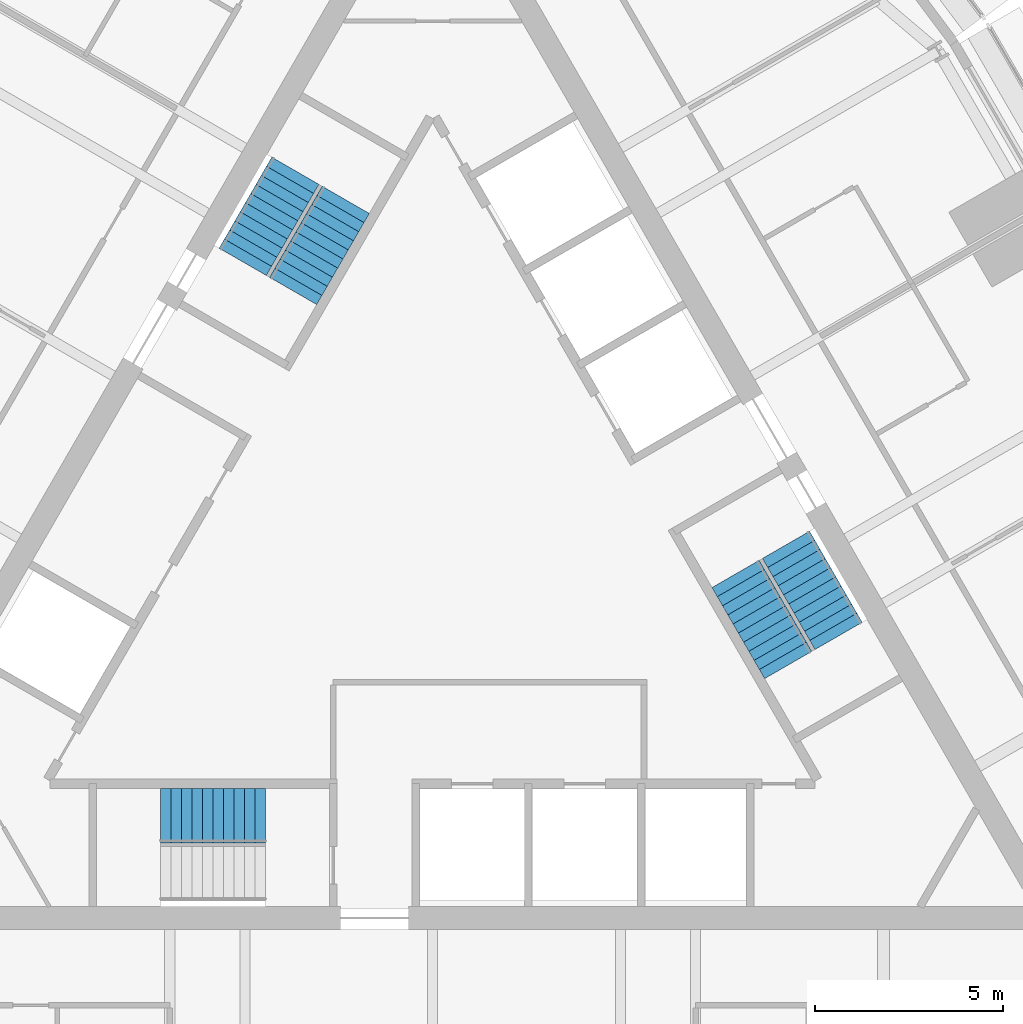
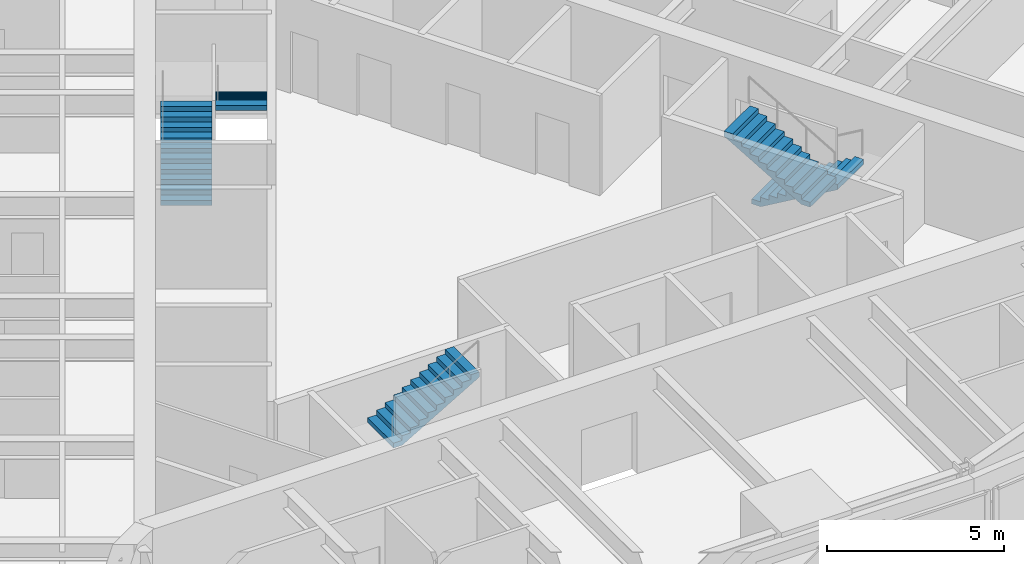
# One storey, part 11 of 12: 5 stair flights, 3 elements without a shape of their own.
"""IFC4 building model written with IfcOpenShell, lengths in metres."""

from ifc_helpers import new_model, si_unit, direction, frame, origin, place, context, subcontext, project, spatial, polyline, outline, extrude, material, type_object, element, aggregate, save


model = new_model("IFC4")

# Units and contexts
model_context = context("Model", 3, precision=1e-05, world=origin(), true_north=direction((0.0, 1.0)))
body_context = subcontext(model_context, "Body", "Model", "MODEL_VIEW")
ifc_project = project(units=[si_unit("LENGTHUNIT", "METRE"), si_unit("AREAUNIT", "SQUARE_METRE"), si_unit("VOLUMEUNIT", "CUBIC_METRE"), si_unit("PLANEANGLEUNIT", "RADIAN"), si_unit("MASSUNIT", "GRAM", prefix="KILO")], contexts=[model_context])

# Site, building, storey
site_placement = place(None, origin())
site = spatial("IfcSite", under=ifc_project, at=site_placement, CompositionType="ELEMENT")
building_placement = place(site_placement, origin())
building = spatial("IfcBuilding", under=site, at=building_placement, Name="Trikona Tower", CompositionType="ELEMENT")
storey_placement = place(building_placement, frame((0.0, 0.0, 250.10009765625)))
storey = spatial("IfcBuildingStorey", under=building, at=storey_placement, Name="L66", CompositionType="ELEMENT", Elevation=250.10009765625)

# Stair, stair flight
ifc_material_1 = material(Name="Concrete f'c 5000 psi", Category="concrete")
stair_type = type_object("IfcStairType", Name="Core stair", PredefinedType="HALF_TURN_STAIR", material=ifc_material_1)
stair_1_placement = place(storey_placement, origin())
stair_1 = element("IfcStair", 1, at=stair_1_placement, inside=storey, type_object=stair_type, Name="Stair A L66", PredefinedType="HALF_TURN_STAIR")
ifc_material_2 = material(Name="Concrete f'c 5000 psi", Category="concrete")
stair_flight_type = type_object("IfcStairFlightType", Name="Core stair flight 1450", PredefinedType="STRAIGHT", material=ifc_material_2)
stair_flight_1_placement = place(storey_placement, frame((-7.25, -6.80126953125, 1.7998046875), z_axis=(0.0, 0.0, 1.0), x_axis=(1.0, 0.0, 0.0)))
stair_flight_1 = element("IfcStairFlight", 2, at=stair_flight_1_placement, type_object=stair_flight_type, Name="ST-A flight 2", NumberOfRisers=11, NumberOfTreads=10, PredefinedType="STRAIGHT", RiserHeight=0.163636, TreadLength=0.28, context=body_context, shape_type="SweptSolid", body=[
    extrude(outline(polyline([(0.0, 0.0), (0.0, 0.16357421875), (0.280029296875, 0.16357421875), (0.280029296875, 0.327392578125), (0.56005859375, 0.327392578125), (0.56005859375, 0.490966796875), (0.840087890625, 0.490966796875), (0.840087890625, 0.654541015625), (1.1201171875, 0.654541015625), (1.1201171875, 0.818115234375), (1.39990234375, 0.818115234375), (1.39990234375, 0.98193359375), (1.679931640625, 0.98193359375), (1.679931640625, 1.1455078125), (1.9599609375, 1.1455078125), (1.9599609375, 1.30908203125), (2.239990234375, 1.30908203125), (2.239990234375, 1.47265625), (2.52001953125, 1.47265625), (2.52001953125, 1.636474609375), (2.800048828125, 1.636474609375), (2.800048828125, 1.800048828125), (2.800048828125, 1.462646484375), (0.297119140625, 0.0), (0.0, 0.0)])), frame((0.0, 0.72509765625, 0.0), z_axis=(0.0, -1.0, 0.0), x_axis=(1.0, 0.0, 0.0)), (0.0, 0.0, 1.0), 1.449951171875),
])
aggregate(stair_1, [stair_flight_1])

# Stair, stair flights
stair_2_placement = place(storey_placement, origin())
stair_2 = element("IfcStair", 3, at=stair_2_placement, inside=storey, type_object=stair_type, Name="Stair B L66", PredefinedType="HALF_TURN_STAIR")
stair_flight_2_placement = place(storey_placement, frame((9.407470703125, 0.408447265625, 0.0), z_axis=(0.0, 0.0, 1.0), x_axis=(0.5, -0.866025403784, 0.0)))
stair_flight_2 = element("IfcStairFlight", 4, at=stair_flight_2_placement, type_object=stair_flight_type, Name="ST-B flight 1", NumberOfRisers=11, NumberOfTreads=10, PredefinedType="STRAIGHT", RiserHeight=0.163636, TreadLength=0.28, context=body_context, shape_type="SweptSolid", body=[
    extrude(outline(polyline([(0.0, 0.0), (0.0, 0.16357421875), (0.280029296875, 0.16357421875), (0.280029296875, 0.327392578125), (0.56005859375, 0.327392578125), (0.56005859375, 0.490966796875), (0.840087890625, 0.490966796875), (0.840087890625, 0.654541015625), (1.1201171875, 0.654541015625), (1.1201171875, 0.818115234375), (1.39990234375, 0.818115234375), (1.39990234375, 0.98193359375), (1.679931640625, 0.98193359375), (1.679931640625, 1.1455078125), (1.9599609375, 1.1455078125), (1.9599609375, 1.30908203125), (2.239990234375, 1.30908203125), (2.239990234375, 1.47265625), (2.52001953125, 1.47265625), (2.52001953125, 1.636474609375), (2.800048828125, 1.636474609375), (2.800048828125, 1.800048828125), (2.800048828125, 1.462646484375), (0.297119140625, 0.0), (0.0, 0.0)])), frame((0.0, 0.72509765625, 0.0), z_axis=(0.0, -1.0, 0.0), x_axis=(1.0, 0.0, 0.0)), (0.0, 0.0, 1.0), 1.449951171875),
])
stair_flight_3_placement = place(storey_placement, frame((9.465087890625, -2.79150390625, 1.7998046875), z_axis=(0.0, 0.0, 1.0), x_axis=(-0.5, 0.866025403784, 0.0)))
stair_flight_3 = element("IfcStairFlight", 5, at=stair_flight_3_placement, type_object=stair_flight_type, Name="ST-B flight 2", NumberOfRisers=11, NumberOfTreads=10, PredefinedType="STRAIGHT", RiserHeight=0.163636, TreadLength=0.28, context=body_context, shape_type="SweptSolid", body=[
    extrude(outline(polyline([(0.0, 0.0), (0.0, 0.16357421875), (0.280029296875, 0.16357421875), (0.280029296875, 0.327392578125), (0.56005859375, 0.327392578125), (0.56005859375, 0.490966796875), (0.840087890625, 0.490966796875), (0.840087890625, 0.654541015625), (1.1201171875, 0.654541015625), (1.1201171875, 0.818115234375), (1.39990234375, 0.818115234375), (1.39990234375, 0.98193359375), (1.679931640625, 0.98193359375), (1.679931640625, 1.1455078125), (1.9599609375, 1.1455078125), (1.9599609375, 1.30908203125), (2.239990234375, 1.30908203125), (2.239990234375, 1.47265625), (2.52001953125, 1.47265625), (2.52001953125, 1.636474609375), (2.800048828125, 1.636474609375), (2.800048828125, 1.800048828125), (2.800048828125, 1.462646484375), (0.297119140625, 0.0), (0.0, 0.0)])), frame((0.0, 0.72509765625, 0.0), z_axis=(0.0, -1.0, 0.0), x_axis=(1.0, 0.0, 0.0)), (0.0, 0.0, 1.0), 1.449951171875),
])
aggregate(stair_2, [stair_flight_2, stair_flight_3])

stair_3_placement = place(storey_placement, origin())
stair_3 = element("IfcStair", 6, at=stair_3_placement, inside=storey, type_object=stair_type, Name="Stair C L66", PredefinedType="HALF_TURN_STAIR")
stair_flight_4_placement = place(storey_placement, frame((-5.057373046875, 7.94287109375, 0.0), z_axis=(0.0, 0.0, 1.0), x_axis=(0.5, 0.866025403784, 0.0)))
stair_flight_4 = element("IfcStairFlight", 7, at=stair_flight_4_placement, type_object=stair_flight_type, Name="ST-C flight 1", NumberOfRisers=11, NumberOfTreads=10, PredefinedType="STRAIGHT", RiserHeight=0.163636, TreadLength=0.28, context=body_context, shape_type="SweptSolid", body=[
    extrude(outline(polyline([(0.0, 0.0), (0.0, 0.16357421875), (0.280029296875, 0.16357421875), (0.280029296875, 0.327392578125), (0.56005859375, 0.327392578125), (0.56005859375, 0.490966796875), (0.840087890625, 0.490966796875), (0.840087890625, 0.654541015625), (1.1201171875, 0.654541015625), (1.1201171875, 0.818115234375), (1.39990234375, 0.818115234375), (1.39990234375, 0.98193359375), (1.679931640625, 0.98193359375), (1.679931640625, 1.1455078125), (1.9599609375, 1.1455078125), (1.9599609375, 1.30908203125), (2.239990234375, 1.30908203125), (2.239990234375, 1.47265625), (2.52001953125, 1.47265625), (2.52001953125, 1.636474609375), (2.800048828125, 1.636474609375), (2.800048828125, 1.800048828125), (2.800048828125, 1.462646484375), (0.297119140625, 0.0), (0.0, 0.0)])), frame((0.0, 0.72509765625, 0.0), z_axis=(0.0, -1.0, 0.0), x_axis=(1.0, 0.0, 0.0)), (0.0, 0.0, 1.0), 1.449951171875),
])
stair_flight_5_placement = place(storey_placement, frame((-2.315185546875, 9.5927734375, 1.7998046875), z_axis=(0.0, 0.0, 1.0), x_axis=(-0.5, -0.866025403784, 0.0)))
stair_flight_5 = element("IfcStairFlight", 8, at=stair_flight_5_placement, type_object=stair_flight_type, Name="ST-C flight 2", NumberOfRisers=11, NumberOfTreads=10, PredefinedType="STRAIGHT", RiserHeight=0.163636, TreadLength=0.28, context=body_context, shape_type="SweptSolid", body=[
    extrude(outline(polyline([(0.0, 0.0), (0.0, 0.16357421875), (0.280029296875, 0.16357421875), (0.280029296875, 0.327392578125), (0.56005859375, 0.327392578125), (0.56005859375, 0.490966796875), (0.840087890625, 0.490966796875), (0.840087890625, 0.654541015625), (1.1201171875, 0.654541015625), (1.1201171875, 0.818115234375), (1.39990234375, 0.818115234375), (1.39990234375, 0.98193359375), (1.679931640625, 0.98193359375), (1.679931640625, 1.1455078125), (1.9599609375, 1.1455078125), (1.9599609375, 1.30908203125), (2.239990234375, 1.30908203125), (2.239990234375, 1.47265625), (2.52001953125, 1.47265625), (2.52001953125, 1.636474609375), (2.800048828125, 1.636474609375), (2.800048828125, 1.800048828125), (2.800048828125, 1.462646484375), (0.297119140625, 0.0), (0.0, 0.0)])), frame((0.0, 0.72509765625, 0.0), z_axis=(0.0, -1.0, 0.0), x_axis=(1.0, 0.0, 0.0)), (0.0, 0.0, 1.0), 1.449951171875),
])
aggregate(stair_3, [stair_flight_4, stair_flight_5])

save(model, "model.ifc")
